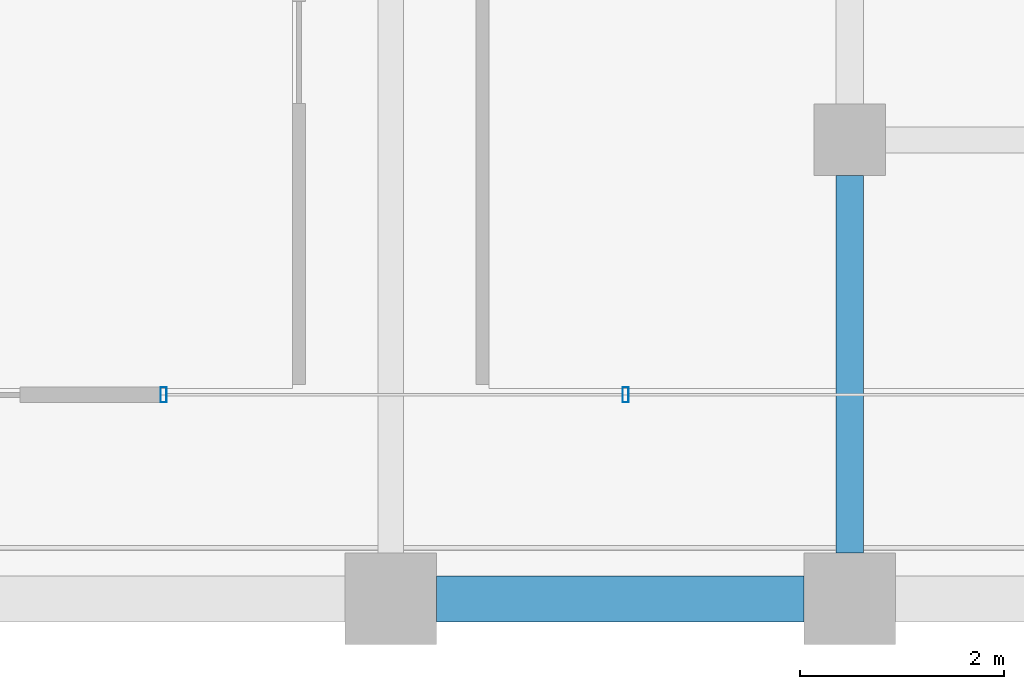
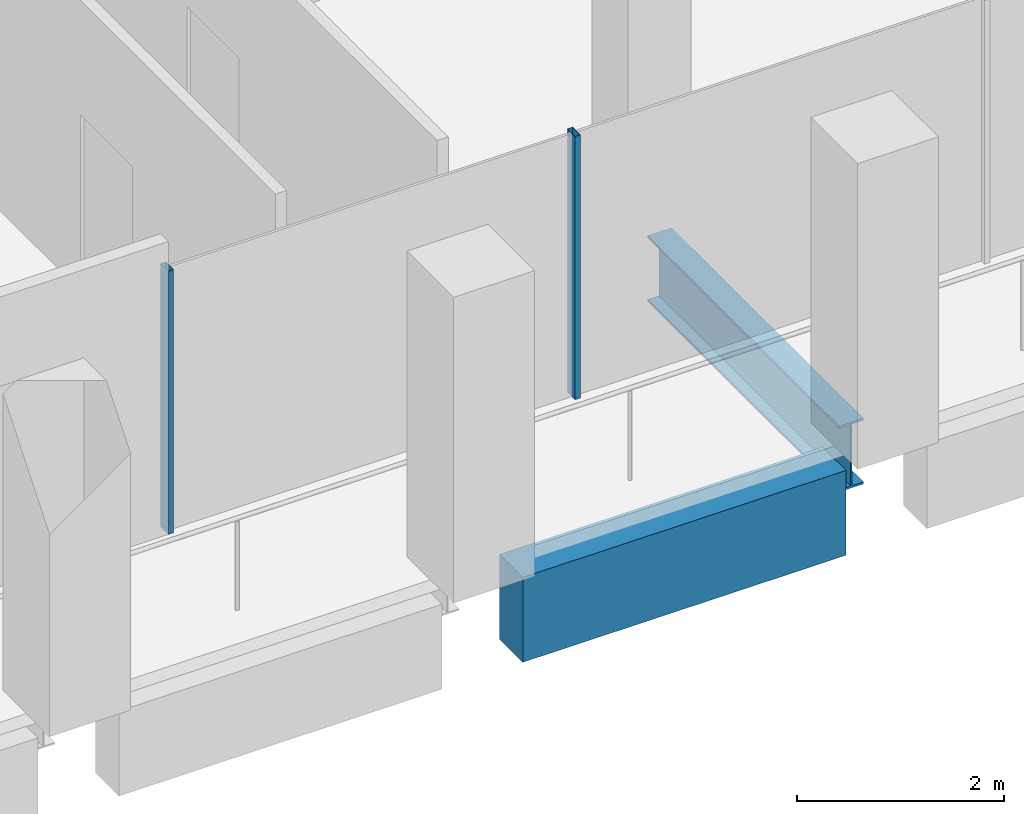
# One storey, part 9 of 40: 2 beams, 2 members, 1 element without a shape of its own.
"""IFC4 building model written with IfcOpenShell, lengths in metres."""

from ifc_helpers import new_model, si_unit, direction, frame, origin, origin_2d, place, context, subcontext, project, spatial, rectangle, hollow_rectangle, i_section, extrude, material, material_profile, profile_set, type_object, element, aggregate, save


model = new_model("IFC4")

# Units and contexts
model_context = context("Model", 3, precision=1e-05, world=origin(), true_north=direction((0.0, 1.0)))
body_context = subcontext(model_context, "Body", "Model", "MODEL_VIEW")
ifc_project = project(units=[si_unit("LENGTHUNIT", "METRE"), si_unit("AREAUNIT", "SQUARE_METRE"), si_unit("VOLUMEUNIT", "CUBIC_METRE"), si_unit("PLANEANGLEUNIT", "RADIAN"), si_unit("MASSUNIT", "GRAM", prefix="KILO")], contexts=[model_context])

# Site, building, storey
site_placement = place(None, origin())
site = spatial("IfcSite", under=ifc_project, at=site_placement, CompositionType="ELEMENT")
building_placement = place(site_placement, origin())
building = spatial("IfcBuilding", under=site, at=building_placement, Name="Altepetl Exchange Towers", CompositionType="ELEMENT")
storey_placement = place(building_placement, frame((0.0, 0.0, 179.800048828125)))
storey = spatial("IfcBuildingStorey", under=building, at=storey_placement, Name="L45", CompositionType="ELEMENT", Elevation=179.800048828125)

# Beam
ifc_material_1 = material(Name="Steel S355", Category="steel")
ifc_material_profile_1 = material_profile(ifc_material_1, i_section(OverallWidth=0.26806640625, OverallDepth=0.77392578125, WebThickness=0.015380859375, FlangeThickness=0.025390625, at=origin_2d()), Name="W30X132")
ifc_profile_set_1 = profile_set([ifc_material_profile_1], Name="Steel S355")
beam_type_1 = type_object("IfcBeamType", Name="Girder W30X132", PredefinedType="BEAM", material=ifc_profile_set_1)
beam_1_placement = place(storey_placement, frame((58.5, 31.14990234375, -0.537109375), z_axis=(0.0, -1.0, 0.0), x_axis=(1.0, 0.0, 0.0)))
element("IfcBeam", 1, at=beam_1_placement, inside=storey, type_object=beam_type_1, Name="gd:A:L45:005", PredefinedType="BEAM", context=body_context, shape_type="SweptSolid", body=[
    extrude(i_section(OverallWidth=0.26806640625, OverallDepth=0.77392578125, WebThickness=0.015380859375, FlangeThickness=0.025390625, at=origin_2d()), origin(), (0.0, 0.0, 1.0), 3.699951171875),
])

# Curtain wall, members
ifc_material_2 = material(Name="Aluminium 6063-T6 glazing", Category="aluminium")
curtain_wall_type = type_object("IfcCurtainWallType", Name="Loggia glazing system", PredefinedType="NOTDEFINED", material=ifc_material_2)
curtain_wall_placement = place(storey_placement, origin())
curtain_wall = element("IfcCurtainWall", 2, at=curtain_wall_placement, inside=storey, type_object=curtain_wall_type, Name="CW1 run", PredefinedType="NOTDEFINED")
ifc_material_3 = material(Name="Aluminium 6063-T6", Category="aluminium")
ifc_material_profile_2 = material_profile(ifc_material_3, hollow_rectangle(XDim=0.06005859375, YDim=0.14990234375, WallThickness=0.0029296875, at=origin_2d()), Name="Mullion 60x150 aluminium")
ifc_profile_set_2 = profile_set([ifc_material_profile_2], Name="Aluminium 6063-T6")
member_type = type_object("IfcMemberType", Name="Mullion 60x150 aluminium", PredefinedType="MULLION", material=ifc_profile_set_2)
member_1_placement = place(storey_placement, frame((51.77294921875, 29.0, 0.0)))
member_1 = element("IfcMember", 3, at=member_1_placement, type_object=member_type, Name="MU1 mullion", PredefinedType="MULLION", context=body_context, shape_type="SweptSolid", body=[
    extrude(hollow_rectangle(XDim=0.06005859375, YDim=0.14990234375, WallThickness=0.0029296875, at=origin_2d()), origin(), (0.0, 0.0, 1.0), 3.099853515625),
])
member_2_placement = place(storey_placement, frame((56.303466796875, 29.0, 0.0)))
member_2 = element("IfcMember", 4, at=member_2_placement, type_object=member_type, Name="MU1 mullion", PredefinedType="MULLION", context=body_context, shape_type="SweptSolid", body=[
    extrude(hollow_rectangle(XDim=0.06005859375, YDim=0.14990234375, WallThickness=0.0029296875, at=origin_2d()), origin(), (0.0, 0.0, 1.0), 3.099853515625),
])
aggregate(curtain_wall, [member_1, member_2])

# Beam
ifc_material_4 = material(Name="Concrete C50/60 precast with cantera blanca facing", Category="concrete")
ifc_material_profile_3 = material_profile(ifc_material_4, rectangle(XDim=0.449951171875, YDim=1.0, at=origin_2d()), Name="450 x 1000")
ifc_profile_set_3 = profile_set([ifc_material_profile_3], Name="Concrete C50/60 precast with cantera blanca facing")
beam_type_2 = type_object("IfcBeamType", Name="Spandrel beam 450x1000 cantera blanca", PredefinedType="SPANDREL", material=ifc_profile_set_3)
beam_2_placement = place(storey_placement, frame((54.449951171875, 27.0, -0.650146484375), z_axis=(1.0, 0.0, 0.0), x_axis=(0.0, 1.0, 0.0)))
element("IfcBeam", 5, at=beam_2_placement, inside=storey, type_object=beam_type_2, Name="sp:A:L45:005", PredefinedType="SPANDREL", context=body_context, shape_type="SweptSolid", body=[
    extrude(rectangle(XDim=0.449951171875, YDim=1.0, at=origin_2d()), origin(), (0.0, 0.0, 1.0), 3.60009765625),
])

save(model, "model.ifc")
